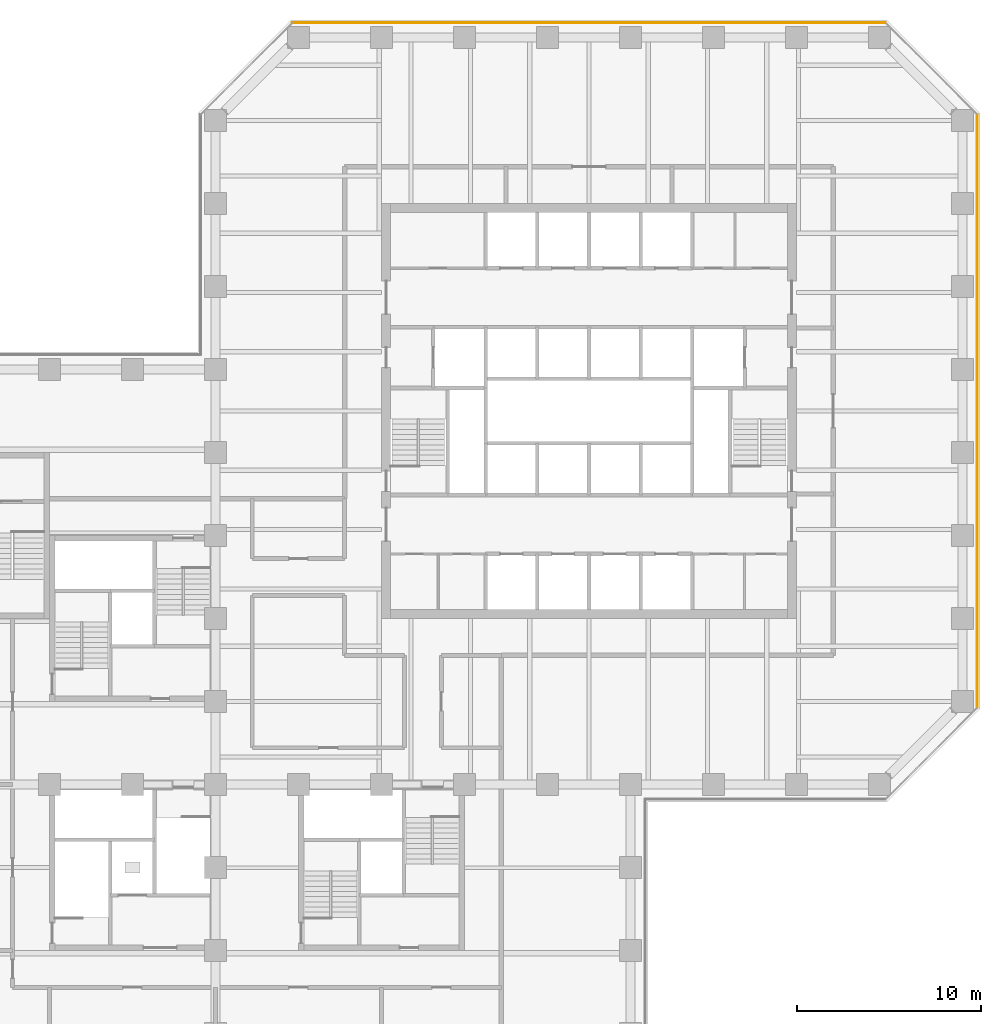
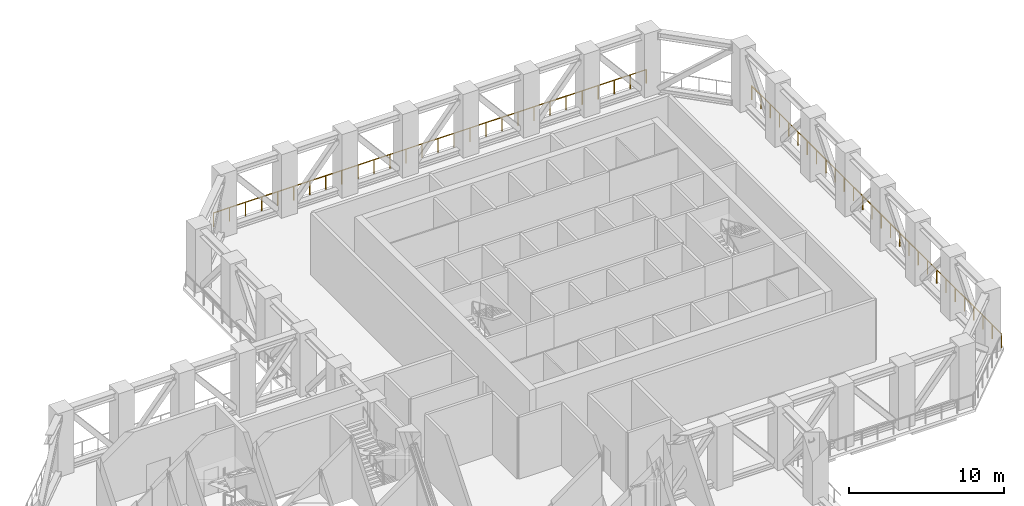
# One storey, part 16 of 16: 2 railings.
"""IFC4 building model written with IfcOpenShell, lengths in metres."""

from ifc_helpers import new_model, si_unit, direction, frame, origin, origin_2d, place, context, subcontext, project, spatial, circle, extrude, material, type_object, element, save


model = new_model("IFC4")

# Units and contexts
model_context = context("Model", 3, precision=1e-05, world=origin(), true_north=direction((0.0, 1.0)))
body_context = subcontext(model_context, "Body", "Model", "MODEL_VIEW")
ifc_project = project(units=[si_unit("LENGTHUNIT", "METRE"), si_unit("AREAUNIT", "SQUARE_METRE"), si_unit("VOLUMEUNIT", "CUBIC_METRE"), si_unit("PLANEANGLEUNIT", "RADIAN"), si_unit("MASSUNIT", "GRAM", prefix="KILO")], contexts=[model_context])

# Site, building, storey
site_placement = place(None, origin())
site = spatial("IfcSite", under=ifc_project, at=site_placement, CompositionType="ELEMENT")
building_placement = place(site_placement, origin())
building = spatial("IfcBuilding", under=site, at=building_placement, Name="Quoin Convention Tower", CompositionType="ELEMENT")
storey_placement = place(building_placement, frame((0.0, 0.0, 69.300048828125)))
storey = spatial("IfcBuildingStorey", under=building, at=storey_placement, Name="L18", CompositionType="ELEMENT", Elevation=69.300048828125)

# Railings
ifc_material = material(Name="Stainless steel", Category="steel")
railing_type = type_object("IfcRailingType", Name="Guard 1100", PredefinedType="GUARDRAIL", material=ifc_material)
railing_1_placement = place(storey_placement, frame((77.300048828125, 44.668701171875, 0.0)))
element("IfcRailing", 1, at=railing_1_placement, inside=storey, type_object=railing_type, Name="grd-L18-76500_45000", PredefinedType="GUARDRAIL", context=body_context, shape_type="SweptSolid", body=[
    extrude(circle(Radius=0.02392578125, at=origin_2d()), frame((0.0, 0.0, 1.076171875), z_axis=(0.0, 1.0, 0.0), x_axis=(-1.0, 0.0, 0.0)), (0.0, 0.0, 1.0), 32.16259765625),
    extrude(circle(Radius=0.02099609375, at=origin_2d()), origin(), (0.0, 0.0, 1.0), 1.052001953125),
    extrude(circle(Radius=0.02099609375, at=origin_2d()), frame((0.0, 1.191162109375, 0.0)), (0.0, 0.0, 1.0), 1.052001953125),
    extrude(circle(Radius=0.02099609375, at=origin_2d()), frame((0.0, 2.38232421875, 0.0)), (0.0, 0.0, 1.0), 1.052001953125),
    extrude(circle(Radius=0.02099609375, at=origin_2d()), frame((0.0, 3.57373046875, 0.0)), (0.0, 0.0, 1.0), 1.052001953125),
    extrude(circle(Radius=0.02099609375, at=origin_2d()), frame((0.0, 4.764892578125, 0.0)), (0.0, 0.0, 1.0), 1.052001953125),
    extrude(circle(Radius=0.02099609375, at=origin_2d()), frame((0.0, 5.9560546875, 0.0)), (0.0, 0.0, 1.0), 1.052001953125),
    extrude(circle(Radius=0.02099609375, at=origin_2d()), frame((0.0, 7.147216796875, 0.0)), (0.0, 0.0, 1.0), 1.052001953125),
    extrude(circle(Radius=0.02099609375, at=origin_2d()), frame((0.0, 8.33837890625, 0.0)), (0.0, 0.0, 1.0), 1.052001953125),
    extrude(circle(Radius=0.02099609375, at=origin_2d()), frame((0.0, 9.529541015625, 0.0)), (0.0, 0.0, 1.0), 1.052001953125),
    extrude(circle(Radius=0.02099609375, at=origin_2d()), frame((0.0, 10.720947265625, 0.0)), (0.0, 0.0, 1.0), 1.052001953125),
    extrude(circle(Radius=0.02099609375, at=origin_2d()), frame((0.0, 11.912109375, 0.0)), (0.0, 0.0, 1.0), 1.052001953125),
    extrude(circle(Radius=0.02099609375, at=origin_2d()), frame((0.0, 13.103271484375, 0.0)), (0.0, 0.0, 1.0), 1.052001953125),
    extrude(circle(Radius=0.02099609375, at=origin_2d()), frame((0.0, 14.29443359375, 0.0)), (0.0, 0.0, 1.0), 1.052001953125),
    extrude(circle(Radius=0.02099609375, at=origin_2d()), frame((0.0, 15.485595703125, 0.0)), (0.0, 0.0, 1.0), 1.052001953125),
    extrude(circle(Radius=0.02099609375, at=origin_2d()), frame((0.0, 16.677001953125, 0.0)), (0.0, 0.0, 1.0), 1.052001953125),
    extrude(circle(Radius=0.02099609375, at=origin_2d()), frame((0.0, 17.8681640625, 0.0)), (0.0, 0.0, 1.0), 1.052001953125),
    extrude(circle(Radius=0.02099609375, at=origin_2d()), frame((0.0, 19.059326171875, 0.0)), (0.0, 0.0, 1.0), 1.052001953125),
    extrude(circle(Radius=0.02099609375, at=origin_2d()), frame((0.0, 20.25048828125, 0.0)), (0.0, 0.0, 1.0), 1.052001953125),
    extrude(circle(Radius=0.02099609375, at=origin_2d()), frame((0.0, 21.441650390625, 0.0)), (0.0, 0.0, 1.0), 1.052001953125),
    extrude(circle(Radius=0.02099609375, at=origin_2d()), frame((0.0, 22.633056640625, 0.0)), (0.0, 0.0, 1.0), 1.052001953125),
    extrude(circle(Radius=0.02099609375, at=origin_2d()), frame((0.0, 23.82421875, 0.0)), (0.0, 0.0, 1.0), 1.052001953125),
    extrude(circle(Radius=0.02099609375, at=origin_2d()), frame((0.0, 25.015380859375, 0.0)), (0.0, 0.0, 1.0), 1.052001953125),
    extrude(circle(Radius=0.02099609375, at=origin_2d()), frame((0.0, 26.20654296875, 0.0)), (0.0, 0.0, 1.0), 1.052001953125),
    extrude(circle(Radius=0.02099609375, at=origin_2d()), frame((0.0, 27.397705078125, 0.0)), (0.0, 0.0, 1.0), 1.052001953125),
    extrude(circle(Radius=0.02099609375, at=origin_2d()), frame((0.0, 28.5888671875, 0.0)), (0.0, 0.0, 1.0), 1.052001953125),
    extrude(circle(Radius=0.02099609375, at=origin_2d()), frame((0.0, 29.7802734375, 0.0)), (0.0, 0.0, 1.0), 1.052001953125),
    extrude(circle(Radius=0.02099609375, at=origin_2d()), frame((0.0, 30.971435546875, 0.0)), (0.0, 0.0, 1.0), 1.052001953125),
    extrude(circle(Radius=0.02099609375, at=origin_2d()), frame((0.0, 32.16259765625, 0.0)), (0.0, 0.0, 1.0), 1.052001953125),
])
railing_2_placement = place(storey_placement, frame((72.331298828125, 81.800048828125, 0.0)))
element("IfcRailing", 2, at=railing_2_placement, inside=storey, type_object=railing_type, Name="grd-L18-72000_81000", PredefinedType="GUARDRAIL", context=body_context, shape_type="SweptSolid", body=[
    extrude(circle(Radius=0.02392578125, at=origin_2d()), frame((0.0, 0.0, 1.076171875), z_axis=(-1.0, 0.0, 0.0), x_axis=(0.0, -1.0, 0.0)), (0.0, 0.0, 1.0), 32.16259765625),
    extrude(circle(Radius=0.02099609375, at=origin_2d()), origin(), (0.0, 0.0, 1.0), 1.052001953125),
    extrude(circle(Radius=0.02099609375, at=origin_2d()), frame((-1.191162109375, 0.0, 0.0)), (0.0, 0.0, 1.0), 1.052001953125),
    extrude(circle(Radius=0.02099609375, at=origin_2d()), frame((-2.38232421875, 0.0, 0.0)), (0.0, 0.0, 1.0), 1.052001953125),
    extrude(circle(Radius=0.02099609375, at=origin_2d()), frame((-3.57373046875, 0.0, 0.0)), (0.0, 0.0, 1.0), 1.052001953125),
    extrude(circle(Radius=0.02099609375, at=origin_2d()), frame((-4.764892578125, 0.0, 0.0)), (0.0, 0.0, 1.0), 1.052001953125),
    extrude(circle(Radius=0.02099609375, at=origin_2d()), frame((-5.9560546875, 0.0, 0.0)), (0.0, 0.0, 1.0), 1.052001953125),
    extrude(circle(Radius=0.02099609375, at=origin_2d()), frame((-7.147216796875, 0.0, 0.0)), (0.0, 0.0, 1.0), 1.052001953125),
    extrude(circle(Radius=0.02099609375, at=origin_2d()), frame((-8.33837890625, 0.0, 0.0)), (0.0, 0.0, 1.0), 1.052001953125),
    extrude(circle(Radius=0.02099609375, at=origin_2d()), frame((-9.529541015625, 0.0, 0.0)), (0.0, 0.0, 1.0), 1.052001953125),
    extrude(circle(Radius=0.02099609375, at=origin_2d()), frame((-10.720947265625, 0.0, 0.0)), (0.0, 0.0, 1.0), 1.052001953125),
    extrude(circle(Radius=0.02099609375, at=origin_2d()), frame((-11.912109375, 0.0, 0.0)), (0.0, 0.0, 1.0), 1.052001953125),
    extrude(circle(Radius=0.02099609375, at=origin_2d()), frame((-13.103271484375, 0.0, 0.0)), (0.0, 0.0, 1.0), 1.052001953125),
    extrude(circle(Radius=0.02099609375, at=origin_2d()), frame((-14.29443359375, 0.0, 0.0)), (0.0, 0.0, 1.0), 1.052001953125),
    extrude(circle(Radius=0.02099609375, at=origin_2d()), frame((-15.485595703125, 0.0, 0.0)), (0.0, 0.0, 1.0), 1.052001953125),
    extrude(circle(Radius=0.02099609375, at=origin_2d()), frame((-16.677001953125, 0.0, 0.0)), (0.0, 0.0, 1.0), 1.052001953125),
    extrude(circle(Radius=0.02099609375, at=origin_2d()), frame((-17.8681640625, 0.0, 0.0)), (0.0, 0.0, 1.0), 1.052001953125),
    extrude(circle(Radius=0.02099609375, at=origin_2d()), frame((-19.059326171875, 0.0, 0.0)), (0.0, 0.0, 1.0), 1.052001953125),
    extrude(circle(Radius=0.02099609375, at=origin_2d()), frame((-20.25048828125, 0.0, 0.0)), (0.0, 0.0, 1.0), 1.052001953125),
    extrude(circle(Radius=0.02099609375, at=origin_2d()), frame((-21.441650390625, 0.0, 0.0)), (0.0, 0.0, 1.0), 1.052001953125),
    extrude(circle(Radius=0.02099609375, at=origin_2d()), frame((-22.633056640625, 0.0, 0.0)), (0.0, 0.0, 1.0), 1.052001953125),
    extrude(circle(Radius=0.02099609375, at=origin_2d()), frame((-23.82421875, 0.0, 0.0)), (0.0, 0.0, 1.0), 1.052001953125),
    extrude(circle(Radius=0.02099609375, at=origin_2d()), frame((-25.015380859375, 0.0, 0.0)), (0.0, 0.0, 1.0), 1.052001953125),
    extrude(circle(Radius=0.02099609375, at=origin_2d()), frame((-26.20654296875, 0.0, 0.0)), (0.0, 0.0, 1.0), 1.052001953125),
    extrude(circle(Radius=0.02099609375, at=origin_2d()), frame((-27.397705078125, 0.0, 0.0)), (0.0, 0.0, 1.0), 1.052001953125),
    extrude(circle(Radius=0.02099609375, at=origin_2d()), frame((-28.5888671875, 0.0, 0.0)), (0.0, 0.0, 1.0), 1.052001953125),
    extrude(circle(Radius=0.02099609375, at=origin_2d()), frame((-29.7802734375, 0.0, 0.0)), (0.0, 0.0, 1.0), 1.052001953125),
    extrude(circle(Radius=0.02099609375, at=origin_2d()), frame((-30.971435546875, 0.0, 0.0)), (0.0, 0.0, 1.0), 1.052001953125),
    extrude(circle(Radius=0.02099609375, at=origin_2d()), frame((-32.16259765625, 0.0, 0.0)), (0.0, 0.0, 1.0), 1.052001953125),
])

save(model, "model.ifc")
